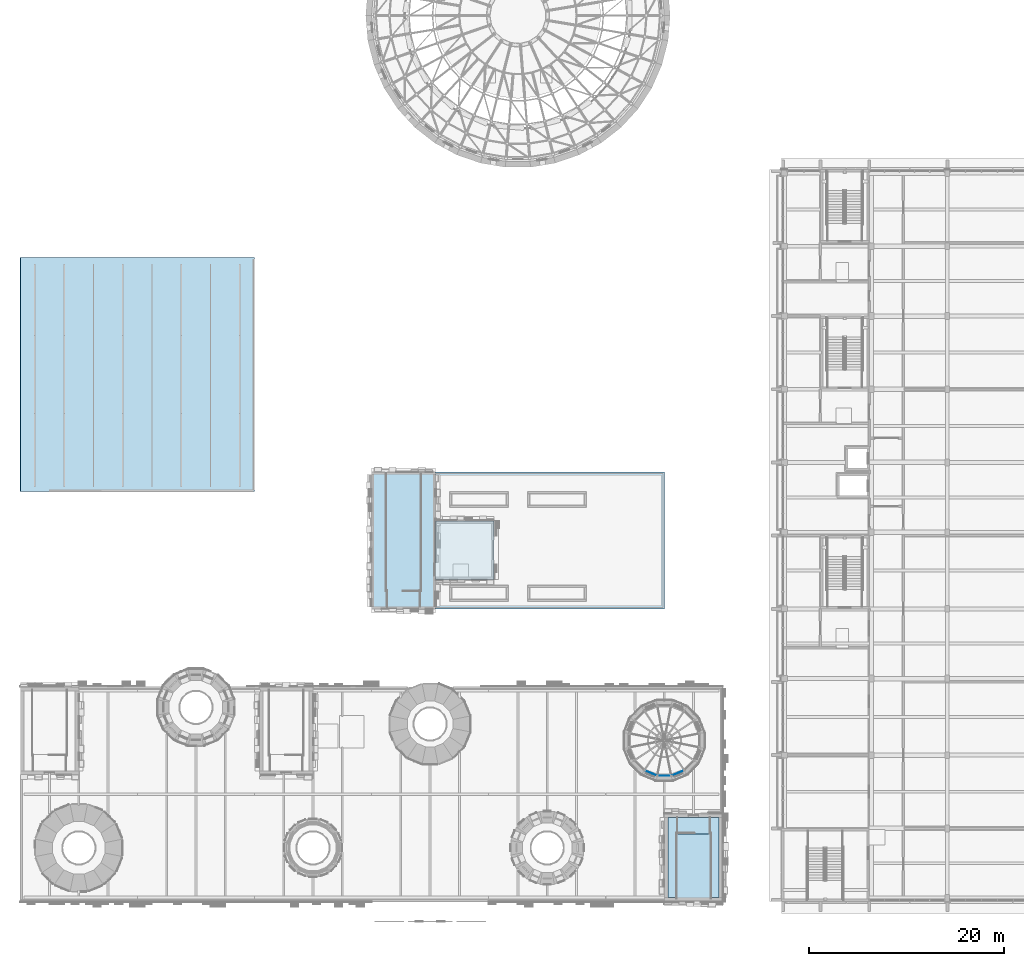
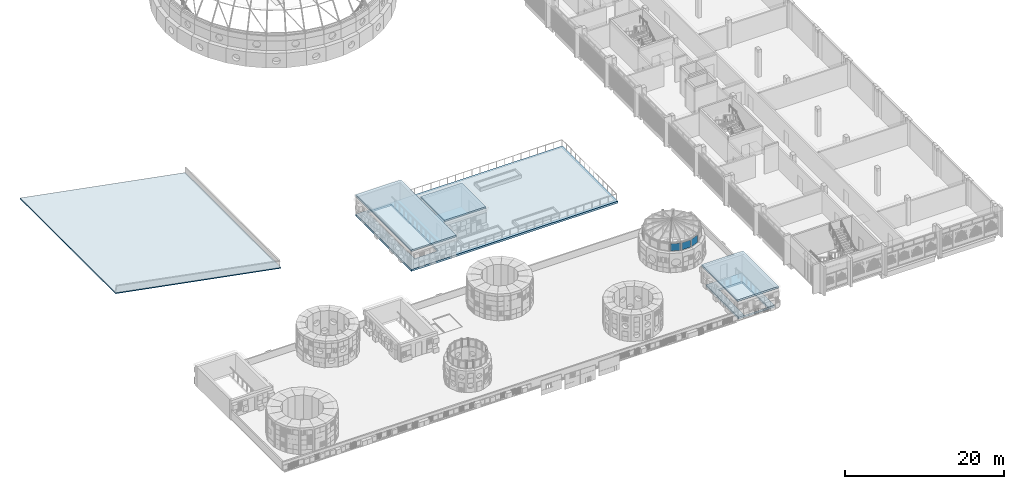
# One storey, part 45 of 98: 6 slabs, 3 plates, 3 elements without a shape of their own.
"""IFC4 building model written with IfcOpenShell, lengths in metres."""

from ifc_helpers import new_model, si_unit, direction, frame, origin, origin_2d, place, context, subcontext, project, spatial, polyline, rectangle, outline, extrude, material, layer, layer_set, type_object, element, aggregate, save


model = new_model("IFC4")

# Units and contexts
model_context = context("Model", 3, precision=1e-05, world=origin(), true_north=direction((0.0, 1.0)))
body_context = subcontext(model_context, "Body", "Model", "MODEL_VIEW")
ifc_project = project(units=[si_unit("LENGTHUNIT", "METRE"), si_unit("AREAUNIT", "SQUARE_METRE"), si_unit("VOLUMEUNIT", "CUBIC_METRE"), si_unit("PLANEANGLEUNIT", "RADIAN"), si_unit("MASSUNIT", "GRAM", prefix="KILO")], contexts=[model_context])

# Site, building, storey
site_placement = place(None, origin())
site = spatial("IfcSite", under=ifc_project, at=site_placement, CompositionType="ELEMENT")
building_placement = place(site_placement, origin())
building = spatial("IfcBuilding", under=site, at=building_placement, Name="Sun Court Science Centre", CompositionType="ELEMENT")
storey_placement = place(building_placement, frame((0.0, 0.0, 15.75)))
storey = spatial("IfcBuildingStorey", under=building, at=storey_placement, Name="L03", CompositionType="ELEMENT", Elevation=15.75)

# Curtain wall, plate
ifc_material_1 = material(Name="Aluminium EN AW-6063 T6", Category="aluminium")
curtain_wall_type = type_object("IfcCurtainWallType", Name="Lantern clerestory curtain wall 1500", PredefinedType="NOTDEFINED", material=ifc_material_1)
curtain_wall_1_placement = place(storey_placement, origin())
curtain_wall_1 = element("IfcCurtainWall", 1, at=curtain_wall_1_placement, inside=storey, type_object=curtain_wall_type, Name="Curtain wall V2 C6 clerestory L03 11", PredefinedType="NOTDEFINED")
ifc_material_2 = material(Name="Insulated glass", Category="glass")
ifc_layer_1 = layer(ifc_material_2, 0.031982421875)
ifc_layer_set_1 = layer_set([ifc_layer_1], Name="Insulated glass")
plate_type = type_object("IfcPlateType", Name="Foyer insulated glazing panel 8-16-8", PredefinedType="CURTAIN_PANEL", material=ifc_layer_set_1)
plate_1_placement = place(storey_placement, frame((64.619384765625, 19.1669921875, 3.099853515625), z_axis=(0.0, 0.0, 1.0), x_axis=(-0.923879532511, 0.382683432365, 0.0)))
plate_1 = element("IfcPlate", 2, at=plate_1_placement, type_object=plate_type, Name="Smoke vent opening light CW4-91 panel 1", PredefinedType="CURTAIN_PANEL", context=body_context, shape_type="SweptSolid", body=[
    extrude(rectangle(XDim=1.220947265625, YDim=0.031982421875, at=origin_2d()), origin(), (0.0, 0.0, 1.0), 1.10009765625),
])
aggregate(curtain_wall_1, [plate_1])

curtain_wall_2_placement = place(storey_placement, origin())
curtain_wall_2 = element("IfcCurtainWall", 3, at=curtain_wall_2_placement, inside=storey, type_object=curtain_wall_type, Name="Curtain wall V2 C6 clerestory L03 12", PredefinedType="NOTDEFINED")
plate_2_placement = place(storey_placement, frame((66.0, 18.892333984375, 3.099853515625), z_axis=(0.0, 0.0, 1.0), x_axis=(-1.0, 0.0, 0.0)))
plate_2 = element("IfcPlate", 4, at=plate_2_placement, type_object=plate_type, Name="CW4-92 panel 1.1", PredefinedType="CURTAIN_PANEL", context=body_context, shape_type="SweptSolid", body=[
    extrude(rectangle(XDim=1.220947265625, YDim=0.031982421875, at=origin_2d()), origin(), (0.0, 0.0, 1.0), 1.10009765625),
])
aggregate(curtain_wall_2, [plate_2])

curtain_wall_3_placement = place(storey_placement, origin())
curtain_wall_3 = element("IfcCurtainWall", 5, at=curtain_wall_3_placement, inside=storey, type_object=curtain_wall_type, Name="Curtain wall V2 C6 clerestory L03 13", PredefinedType="NOTDEFINED")
plate_3_placement = place(storey_placement, frame((67.380615234375, 19.1669921875, 3.099853515625), z_axis=(0.0, 0.0, 1.0), x_axis=(-0.923879532511, -0.382683432365, 0.0)))
plate_3 = element("IfcPlate", 6, at=plate_3_placement, type_object=plate_type, Name="Smoke vent opening light CW4-93 panel 1", PredefinedType="CURTAIN_PANEL", context=body_context, shape_type="SweptSolid", body=[
    extrude(rectangle(XDim=1.220947265625, YDim=0.031982421875, at=origin_2d()), origin(), (0.0, 0.0, 1.0), 1.10009765625),
])
aggregate(curtain_wall_3, [plate_3])

# Slabs
ifc_material_3 = material(Name="Concrete C25/30", Category="concrete")
ifc_layer_2 = layer(ifc_material_3, 0.300048828125)
ifc_layer_set_2 = layer_set([ifc_layer_2], Name="Concrete C25/30")
slab_type_1 = type_object("IfcSlabType", Name="RC floor slab 300", PredefinedType="FLOOR", material=ifc_layer_set_2)
slab_1_placement = place(storey_placement, frame((0.0, 0.0, -0.300048828125)))
element("IfcSlab", 7, at=slab_1_placement, inside=storey, type_object=slab_type_1, Name="Stair SB3 head-house floor", PredefinedType="FLOOR", context=body_context, shape_type="SweptSolid", body=[
    extrude(outline(polyline([(66.39990234375, 14.60009765625), (66.39990234375, 6.39990234375), (71.60009765625, 6.39990234375), (71.60009765625, 14.60009765625), (66.39990234375, 14.60009765625)]), holes=[polyline([(67.277099609375, 6.405029296875), (67.277099609375, 12.947021484375), (70.722900390625, 12.947021484375), (70.722900390625, 6.405029296875), (67.277099609375, 6.405029296875)])]), origin(), (0.0, 0.0, 1.0), 0.300048828125),
])
ifc_material_4 = material(Name="Concrete C25/30", Category="concrete")
ifc_layer_3 = layer(ifc_material_4, 0.25)
ifc_layer_set_3 = layer_set([ifc_layer_3], Name="Concrete C25/30")
slab_type_2 = type_object("IfcSlabType", Name="RC head-house roof 250", PredefinedType="ROOF", material=ifc_layer_set_3)
slab_2_placement = place(storey_placement, frame((0.0, 0.0, 2.75)))
element("IfcSlab", 8, at=slab_2_placement, inside=storey, type_object=slab_type_2, Name="Roof of core SB3", PredefinedType="ROOF", context=body_context, shape_type="SweptSolid", body=[
    extrude(outline(polyline([(66.0, 6.0), (72.0, 6.0), (72.0, 15.0), (66.0, 15.0), (66.0, 6.0)])), origin(), (0.0, 0.0, 1.0), 0.25),
])
slab_3_placement = place(storey_placement, frame((0.0, 0.0, 2.75)))
element("IfcSlab", 9, at=slab_3_placement, inside=storey, type_object=slab_type_2, Name="Roof of core SP1", PredefinedType="ROOF", context=body_context, shape_type="SweptSolid", body=[
    extrude(outline(polyline([(36.0, 36.0), (42.550048828125, 36.0), (42.550048828125, 50.0), (36.0, 50.0), (36.0, 36.0)])), origin(), (0.0, 0.0, 1.0), 0.25),
])
slab_4_placement = place(storey_placement, frame((0.0, 0.0, 3.199951171875)))
element("IfcSlab", 10, at=slab_4_placement, inside=storey, type_object=slab_type_2, Name="Roof of the roof garden lobby", PredefinedType="ROOF", context=body_context, shape_type="SweptSolid", body=[
    extrude(outline(polyline([(48.550048828125, 39.0), (48.550048828125, 45.0), (42.550048828125, 45.0), (42.550048828125, 39.0), (48.550048828125, 39.0)])), origin(), (0.0, 0.0, 1.0), 0.25),
])
ifc_material_5 = material(Name="Concrete C25/30", Category="concrete")
ifc_layer_4 = layer(ifc_material_5, 0.300048828125)
ifc_layer_set_4 = layer_set([ifc_layer_4], Name="Concrete C25/30")
slab_type_3 = type_object("IfcSlabType", Name="RC terrace slab 300", PredefinedType="ROOF", material=ifc_layer_set_4)
slab_5_placement = place(storey_placement, frame((0.0, 0.0, -0.300048828125)))
element("IfcSlab", 11, at=slab_5_placement, inside=storey, type_object=slab_type_3, Name="Pavilion roof garden slab", PredefinedType="ROOF", context=body_context, shape_type="SweptSolid", body=[
    extrude(outline(polyline([(66.0, 36.0), (66.0, 50.0), (36.0, 50.0), (36.0, 36.0), (66.0, 36.0)]), holes=[polyline([(40.998046875, 49.7451171875), (40.998046875, 37.903076171875), (37.552001953125, 37.903076171875), (37.552001953125, 49.7451171875), (40.998046875, 49.7451171875)])]), origin(), (0.0, 0.0, 1.0), 0.300048828125),
])
ifc_material_6 = material(Name="Steel S275", Category="steel")
ifc_layer_5 = layer(ifc_material_6, 0.14990234375)
ifc_layer_set_5 = layer_set([ifc_layer_5], Name="Steel S275")
slab_type_4 = type_object("IfcSlabType", Name="Steel roof deck 150", PredefinedType="ROOF", material=ifc_layer_set_5)
slab_6_placement = place(storey_placement, frame((0.0, 48.0, 1.75), z_axis=(0.18428853505, 0.0, 0.982872186934), x_axis=(0.982872186934, 0.0, -0.18428853505)))
element("IfcSlab", 12, at=slab_6_placement, inside=storey, type_object=slab_type_4, Name="Theatre roof deck", PredefinedType="ROOF", context=body_context, shape_type="SweptSolid", body=[
    extrude(outline(polyline([(0.0, 0.0), (24.41823089414956, 0.0), (24.41823089414956, 24.0), (0.0, 24.0), (0.0, 0.0)])), origin(), (0.0, 0.0, -1.0), 0.14990234375),
])

save(model, "model.ifc")
